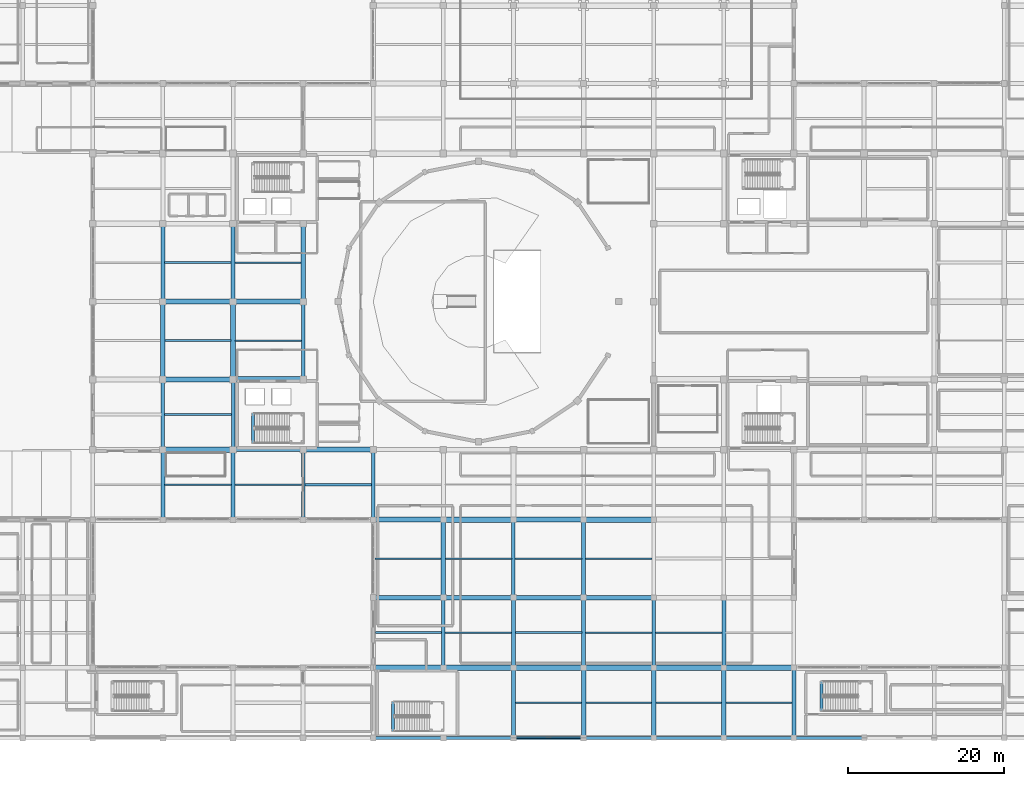
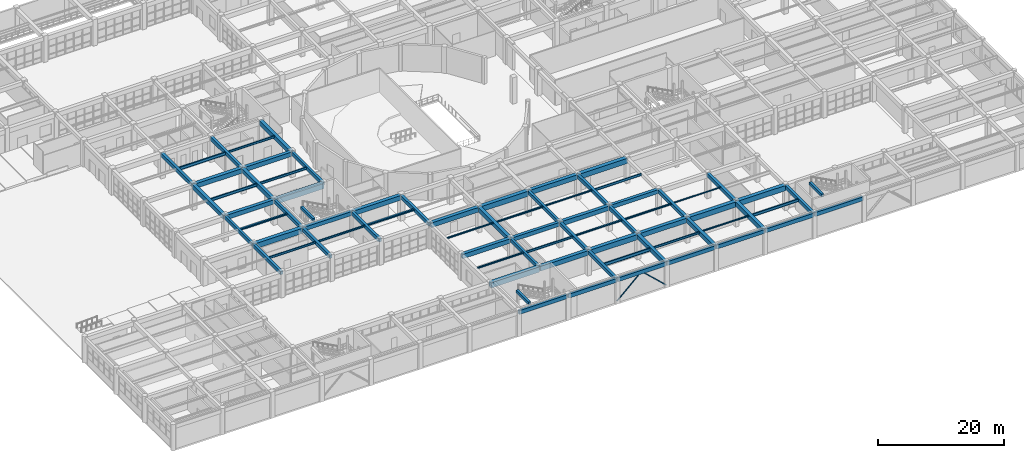
# One storey, part 41 of 128: 77 beams, 2 members.
"""IFC4 building model written with IfcOpenShell, lengths in metres."""

from ifc_helpers import new_model, si_unit, direction, frame, origin, origin_2d, place, context, subcontext, project, spatial, rectangle, hollow_rectangle, i_section, extrude, material, material_profile, profile_set, type_object, element, save


model = new_model("IFC4")

# Units and contexts
model_context = context("Model", 3, precision=1e-05, world=origin(), true_north=direction((0.0, 1.0)))
body_context = subcontext(model_context, "Body", "Model", "MODEL_VIEW")
ifc_project = project(units=[si_unit("LENGTHUNIT", "METRE"), si_unit("AREAUNIT", "SQUARE_METRE"), si_unit("VOLUMEUNIT", "CUBIC_METRE"), si_unit("PLANEANGLEUNIT", "RADIAN"), si_unit("MASSUNIT", "GRAM", prefix="KILO")], contexts=[model_context])

# Site, building, storey
site_placement = place(None, origin())
site = spatial("IfcSite", under=ifc_project, at=site_placement, CompositionType="ELEMENT")
building_placement = place(site_placement, origin())
building = spatial("IfcBuilding", under=site, at=building_placement, Name="Miravela Opera House", CompositionType="ELEMENT")
storey_placement = place(building_placement, origin())
storey = spatial("IfcBuildingStorey", under=building, at=storey_placement, Name="L00", CompositionType="ELEMENT", Elevation=0.0)

# Beams
ifc_material_1 = material(Name="Concrete C35/45", Category="concrete")
ifc_material_profile_1 = material_profile(ifc_material_1, rectangle(XDim=0.39990234375, YDim=0.60009765625, at=origin_2d()), Name="RC-BM-400X600")
ifc_profile_set_1 = profile_set([ifc_material_profile_1])
beam_type_1 = type_object("IfcBeamType", Name="STR-BM-RC400X600", PredefinedType="JOIST", material=ifc_profile_set_1)
for number, where, z_axis, x_axis, name in (
    (1, (47.5400390625, 37.800048828125, 4.800048828125), (0.0, 1.0, 0.0), (-1.0, 0.0, 0.0), "Stair K2 Opening Header Trimmer Beam 01"),
    (2, (65.5400390625, 0.800048828125, 4.800048828125), (0.0, 1.0, 0.0), (-1.0, 0.0, 0.0), "Stair K6 Opening Header Trimmer Beam 01"),
):
    element("IfcBeam", number, at=place(storey_placement, frame(where, z_axis=z_axis, x_axis=x_axis)), inside=storey, type_object=beam_type_1, Name=name, PredefinedType="JOIST", context=body_context, shape_type="SweptSolid", body=[
        extrude(rectangle(XDim=0.39990234375, YDim=0.60009765625, at=origin_2d()), origin(), (0.0, 0.0, 1.0), 3.8798828125),
    ])
beam_1_placement = place(storey_placement, frame((120.5400390625, 3.39990234375, 4.800048828125), z_axis=(0.0, 1.0, 0.0), x_axis=(-1.0, 0.0, 0.0)))
element("IfcBeam", 3, at=beam_1_placement, inside=storey, type_object=beam_type_1, Name="Stair ST-10 Opening Header Trimmer Beam 01", PredefinedType="JOIST", context=body_context, shape_type="SweptSolid", body=[
    extrude(rectangle(XDim=0.39990234375, YDim=0.60009765625, at=origin_2d()), origin(), (0.0, 0.0, 1.0), 3.880126953125),
])
ifc_material_profile_2 = material_profile(ifc_material_1, rectangle(XDim=0.449951171875, YDim=0.64990234375, at=origin_2d()), Name="RC-BM-450X650")
ifc_profile_set_2 = profile_set([ifc_material_profile_2])
beam_type_2 = type_object("IfcBeamType", Name="STR-BM-RC450X650", PredefinedType="BEAM", material=ifc_profile_set_2)
for number, where, z_axis, x_axis, name in (
    (4, (36.0, 37.080078125, 4.52490234375), (0.0, 1.0, 0.0), (-1.0, 0.0, 0.0), "Floor Girder L00 5/E-F"),
    (5, (45.0, 37.080078125, 4.52490234375), (0.0, 1.0, 0.0), (-1.0, 0.0, 0.0), "Floor Girder L00 6/E-F"),
):
    element("IfcBeam", number, at=place(storey_placement, frame(where, z_axis=z_axis, x_axis=x_axis)), inside=storey, type_object=beam_type_2, Name=name, PredefinedType="BEAM", context=body_context, shape_type="SweptSolid", body=[
        extrude(rectangle(XDim=0.449951171875, YDim=0.64990234375, at=origin_2d()), origin(), (0.0, 0.0, 1.0), 8.83984375),
    ])
beam_2_placement = place(storey_placement, frame((54.0, 46.080078125, 4.52490234375), z_axis=(0.0, 1.0, 0.0), x_axis=(-1.0, 0.0, 0.0)))
element("IfcBeam", 6, at=beam_2_placement, inside=storey, type_object=beam_type_2, Name="Floor Girder L00 7/F-G", PredefinedType="BEAM", context=body_context, shape_type="SweptSolid", body=[
    extrude(rectangle(XDim=0.449951171875, YDim=0.64990234375, at=origin_2d()), origin(), (0.0, 0.0, 1.0), 9.83984375),
])
beam_3_placement = place(storey_placement, frame((72.0, 9.080078125, 4.52490234375), z_axis=(0.0, 1.0, 0.0), x_axis=(-1.0, 0.0, 0.0)))
element("IfcBeam", 7, at=beam_3_placement, inside=storey, type_object=beam_type_2, Name="Floor Girder L00 9/B-C", PredefinedType="BEAM", context=body_context, shape_type="SweptSolid", body=[
    extrude(rectangle(XDim=0.449951171875, YDim=0.64990234375, at=origin_2d()), origin(), (0.0, 0.0, 1.0), 8.83984375),
])
beam_4_placement = place(storey_placement, frame((81.0, 18.080078125, 4.52490234375), z_axis=(0.0, 1.0, 0.0), x_axis=(-1.0, 0.0, 0.0)))
element("IfcBeam", 8, at=beam_4_placement, inside=storey, type_object=beam_type_2, Name="Floor Girder L00 10/C-D", PredefinedType="BEAM", context=body_context, shape_type="SweptSolid", body=[
    extrude(rectangle(XDim=0.449951171875, YDim=0.64990234375, at=origin_2d()), origin(), (0.0, 0.0, 1.0), 9.83984375),
])
ifc_material_profile_3 = material_profile(ifc_material_1, rectangle(XDim=0.47998046875, YDim=0.679931640625, at=origin_2d()), Name="RC-BM-480X680")
ifc_profile_set_3 = profile_set([ifc_material_profile_3])
beam_type_3 = type_object("IfcBeamType", Name="STR-BM-RC480X680", PredefinedType="BEAM", material=ifc_profile_set_3)
for number, where, z_axis, x_axis, name in (
    (9, (36.0, 28.080078125, 4.510009765625), (0.0, 1.0, 0.0), (-1.0, 0.0, 0.0), "Floor Girder L00 5/D-E"),
    (10, (45.0, 28.080078125, 4.510009765625), (0.0, 1.0, 0.0), (-1.0, 0.0, 0.0), "Floor Girder L00 6/D-E"),
    (11, (54.0, 28.080078125, 4.510009765625), (0.0, 1.0, 0.0), (-1.0, 0.0, 0.0), "Floor Girder L00 7/D-E"),
    (12, (63.0, 28.080078125, 4.510009765625), (0.0, 1.0, 0.0), (-1.0, 0.0, 0.0), "Floor Girder L00 8/D-E"),
    (13, (81.0, 9.080078125, 4.510009765625), (0.0, 1.0, 0.0), (-1.0, 0.0, 0.0), "Floor Girder L00 10/B-C"),
):
    element("IfcBeam", number, at=place(storey_placement, frame(where, z_axis=z_axis, x_axis=x_axis)), inside=storey, type_object=beam_type_3, Name=name, PredefinedType="BEAM", context=body_context, shape_type="SweptSolid", body=[
        extrude(rectangle(XDim=0.47998046875, YDim=0.679931640625, at=origin_2d()), origin(), (0.0, 0.0, 1.0), 8.83984375),
    ])
beam_5_placement = place(storey_placement, frame((90.0, 18.080078125, 4.510009765625), z_axis=(0.0, 1.0, 0.0), x_axis=(-1.0, 0.0, 0.0)))
element("IfcBeam", 14, at=beam_5_placement, inside=storey, type_object=beam_type_3, Name="Floor Girder L00 11/C-D", PredefinedType="BEAM", context=body_context, shape_type="SweptSolid", body=[
    extrude(rectangle(XDim=0.47998046875, YDim=0.679931640625, at=origin_2d()), origin(), (0.0, 0.0, 1.0), 9.83984375),
])
beam_6_placement = place(storey_placement, frame((117.0, 0.080078125, 4.510009765625), z_axis=(0.0, 1.0, 0.0), x_axis=(-1.0, 0.0, 0.0)))
element("IfcBeam", 15, at=beam_6_placement, inside=storey, type_object=beam_type_3, Name="Floor Girder L00 14/A-B", PredefinedType="BEAM", context=body_context, shape_type="SweptSolid", body=[
    extrude(rectangle(XDim=0.47998046875, YDim=0.679931640625, at=origin_2d()), origin(), (0.0, 0.0, 1.0), 8.83984375),
])
ifc_material_profile_4 = material_profile(ifc_material_1, rectangle(XDim=0.5, YDim=0.699951171875, at=origin_2d()), Name="RC-BM-500X700")
ifc_profile_set_4 = profile_set([ifc_material_profile_4])
beam_type_4 = type_object("IfcBeamType", Name="STR-BM-RC500X700", PredefinedType="BEAM", material=ifc_profile_set_4)
for number, where, z_axis, x_axis, name in (
    (16, (36.0, 56.080078125, 4.5), (0.0, 1.0, 0.0), (-1.0, 0.0, 0.0), "Floor Girder L00 5/G-H"),
    (17, (45.0, 56.080078125, 4.5), (0.0, 1.0, 0.0), (-1.0, 0.0, 0.0), "Floor Girder L00 6/G-H"),
):
    element("IfcBeam", number, at=place(storey_placement, frame(where, z_axis=z_axis, x_axis=x_axis)), inside=storey, type_object=beam_type_4, Name=name, PredefinedType="BEAM", context=body_context, shape_type="SweptSolid", body=[
        extrude(rectangle(XDim=0.5, YDim=0.699951171875, at=origin_2d()), origin(), (0.0, 0.0, 1.0), 9.83984375),
    ])
for number, where, z_axis, x_axis, name in (
    (18, (81.0, 0.080078125, 4.5), (0.0, 1.0, 0.0), (-1.0, 0.0, 0.0), "Floor Girder L00 10/A-B"),
    (19, (90.0, 9.080078125, 4.5), (0.0, 1.0, 0.0), (-1.0, 0.0, 0.0), "Floor Girder L00 11/B-C"),
    (20, (99.0, 9.080078125, 4.5), (0.0, 1.0, 0.0), (-1.0, 0.0, 0.0), "Floor Girder L00 12/B-C"),
    (21, (108.0, 9.080078125, 4.5), (0.0, 1.0, 0.0), (-1.0, 0.0, 0.0), "Floor Girder L00 13/B-C"),
):
    element("IfcBeam", number, at=place(storey_placement, frame(where, z_axis=z_axis, x_axis=x_axis)), inside=storey, type_object=beam_type_4, Name=name, PredefinedType="BEAM", context=body_context, shape_type="SweptSolid", body=[
        extrude(rectangle(XDim=0.5, YDim=0.699951171875, at=origin_2d()), origin(), (0.0, 0.0, 1.0), 8.83984375),
    ])
ifc_material_profile_5 = material_profile(ifc_material_1, rectangle(XDim=0.550048828125, YDim=0.75, at=origin_2d()), Name="RC-BM-550X750")
ifc_profile_set_5 = profile_set([ifc_material_profile_5])
beam_type_5 = type_object("IfcBeamType", Name="STR-BM-RC550X750", PredefinedType="BEAM", material=ifc_profile_set_5)
for number, where, z_axis, x_axis, name in (
    (22, (45.080078125, 37.0, 4.47509765625), (1.0, 0.0, 0.0), (0.0, 1.0, 0.0), "Floor Girder L00 6-7/E"),
    (23, (72.080078125, 18.0, 4.47509765625), (1.0, 0.0, 0.0), (0.0, 1.0, 0.0), "Floor Girder L00 9-10/C"),
    (24, (90.080078125, 18.0, 4.47509765625), (1.0, 0.0, 0.0), (0.0, 1.0, 0.0), "Floor Girder L00 11-12/C"),
):
    element("IfcBeam", number, at=place(storey_placement, frame(where, z_axis=z_axis, x_axis=x_axis)), inside=storey, type_object=beam_type_5, Name=name, PredefinedType="BEAM", context=body_context, shape_type="SweptSolid", body=[
        extrude(rectangle(XDim=0.550048828125, YDim=0.75, at=origin_2d()), origin(), (0.0, 0.0, 1.0), 8.83984375),
    ])
ifc_material_2 = material(Name="Concrete C40/50", Category="concrete")
ifc_material_profile_6 = material_profile(ifc_material_2, rectangle(XDim=0.60009765625, YDim=0.85009765625, at=origin_2d()), Name="RC-BM-600X850")
ifc_profile_set_6 = profile_set([ifc_material_profile_6])
beam_type_6 = type_object("IfcBeamType", Name="STR-BM-RC600X850", PredefinedType="BEAM", material=ifc_profile_set_6)
for number, where, z_axis, x_axis, name in (
    (25, (36.080078125, 46.0, 4.425048828125), (1.0, 0.0, 0.0), (0.0, 1.0, 0.0), "Floor Girder L00 5-6/F"),
    (26, (45.080078125, 56.0, 4.425048828125), (1.0, 0.0, 0.0), (0.0, 1.0, 0.0), "Floor Girder L00 6-7/G"),
    (27, (63.080078125, 18.0, 4.425048828125), (1.0, 0.0, 0.0), (0.0, 1.0, 0.0), "Floor Girder L00 8-9/C"),
    (28, (81.080078125, 18.0, 4.425048828125), (1.0, 0.0, 0.0), (0.0, 1.0, 0.0), "Floor Girder L00 10-11/C"),
):
    element("IfcBeam", number, at=place(storey_placement, frame(where, z_axis=z_axis, x_axis=x_axis)), inside=storey, type_object=beam_type_6, Name=name, PredefinedType="BEAM", context=body_context, shape_type="SweptSolid", body=[
        extrude(rectangle(XDim=0.60009765625, YDim=0.85009765625, at=origin_2d()), origin(), (0.0, 0.0, 1.0), 8.83984375),
    ])
for number, where, z_axis, x_axis, name in (
    (29, (36.0, 46.080078125, 4.425048828125), (0.0, 1.0, 0.0), (-1.0, 0.0, 0.0), "Floor Girder L00 5/F-G"),
    (30, (45.0, 46.080078125, 4.425048828125), (0.0, 1.0, 0.0), (-1.0, 0.0, 0.0), "Floor Girder L00 6/F-G"),
    (31, (54.0, 56.080078125, 4.425048828125), (0.0, 1.0, 0.0), (-1.0, 0.0, 0.0), "Floor Girder L00 7/G-H"),
    (32, (72.0, 18.080078125, 4.425048828125), (0.0, 1.0, 0.0), (-1.0, 0.0, 0.0), "Floor Girder L00 9/C-D"),
):
    element("IfcBeam", number, at=place(storey_placement, frame(where, z_axis=z_axis, x_axis=x_axis)), inside=storey, type_object=beam_type_6, Name=name, PredefinedType="BEAM", context=body_context, shape_type="SweptSolid", body=[
        extrude(rectangle(XDim=0.60009765625, YDim=0.85009765625, at=origin_2d()), origin(), (0.0, 0.0, 1.0), 9.83984375),
    ])
for number, where, z_axis, x_axis, name in (
    (33, (90.0, 0.080078125, 4.425048828125), (0.0, 1.0, 0.0), (-1.0, 0.0, 0.0), "Floor Girder L00 11/A-B"),
    (34, (99.0, 0.080078125, 4.425048828125), (0.0, 1.0, 0.0), (-1.0, 0.0, 0.0), "Floor Girder L00 12/A-B"),
    (35, (108.0, 0.080078125, 4.425048828125), (0.0, 1.0, 0.0), (-1.0, 0.0, 0.0), "Floor Girder L00 13/A-B"),
):
    element("IfcBeam", number, at=place(storey_placement, frame(where, z_axis=z_axis, x_axis=x_axis)), inside=storey, type_object=beam_type_6, Name=name, PredefinedType="BEAM", context=body_context, shape_type="SweptSolid", body=[
        extrude(rectangle(XDim=0.60009765625, YDim=0.85009765625, at=origin_2d()), origin(), (0.0, 0.0, 1.0), 8.83984375),
    ])
ifc_material_profile_7 = material_profile(ifc_material_2, rectangle(XDim=0.64990234375, YDim=0.89990234375, at=origin_2d()), Name="RC-BM-650X900")
ifc_profile_set_7 = profile_set([ifc_material_profile_7])
beam_type_7 = type_object("IfcBeamType", Name="STR-BM-RC650X900", PredefinedType="BEAM", material=ifc_profile_set_7)
for number, where, z_axis, x_axis, name in (
    (36, (36.080078125, 56.0, 4.39990234375), (1.0, 0.0, 0.0), (0.0, 1.0, 0.0), "Floor Girder L00 5-6/G"),
    (37, (54.080078125, 37.0, 4.39990234375), (1.0, 0.0, 0.0), (0.0, 1.0, 0.0), "Floor Girder L00 7-8/E"),
    (38, (63.080078125, 28.0, 4.39990234375), (1.0, 0.0, 0.0), (0.0, 1.0, 0.0), "Floor Girder L00 8-9/D"),
    (39, (72.080078125, 9.0, 4.39990234375), (1.0, 0.0, 0.0), (0.0, 1.0, 0.0), "Floor Girder L00 9-10/B"),
    (40, (81.080078125, 28.0, 4.39990234375), (1.0, 0.0, 0.0), (0.0, 1.0, 0.0), "Floor Girder L00 10-11/D"),
    (41, (90.080078125, 9.0, 4.39990234375), (1.0, 0.0, 0.0), (0.0, 1.0, 0.0), "Floor Girder L00 11-12/B"),
):
    element("IfcBeam", number, at=place(storey_placement, frame(where, z_axis=z_axis, x_axis=x_axis)), inside=storey, type_object=beam_type_7, Name=name, PredefinedType="BEAM", context=body_context, shape_type="SweptSolid", body=[
        extrude(rectangle(XDim=0.64990234375, YDim=0.89990234375, at=origin_2d()), origin(), (0.0, 0.0, 1.0), 8.83984375),
    ])
ifc_material_profile_8 = material_profile(ifc_material_2, rectangle(XDim=0.699951171875, YDim=1.0, at=origin_2d()), Name="RC-BM-700X1000")
ifc_profile_set_8 = profile_set([ifc_material_profile_8])
beam_type_8 = type_object("IfcBeamType", Name="STR-BM-RC700X1000", PredefinedType="BEAM", material=ifc_profile_set_8)
for number, where, z_axis, x_axis, name in (
    (42, (36.080078125, 37.0, 4.35009765625), (1.0, 0.0, 0.0), (0.0, 1.0, 0.0), "Floor Girder L00 5-6/E"),
    (43, (45.080078125, 46.0, 4.35009765625), (1.0, 0.0, 0.0), (0.0, 1.0, 0.0), "Floor Girder L00 6-7/F"),
    (44, (63.080078125, 9.0, 4.35009765625), (1.0, 0.0, 0.0), (0.0, 1.0, 0.0), "Floor Girder L00 8-9/B"),
    (45, (72.080078125, 28.0, 4.35009765625), (1.0, 0.0, 0.0), (0.0, 1.0, 0.0), "Floor Girder L00 9-10/D"),
    (46, (81.080078125, 9.0, 4.35009765625), (1.0, 0.0, 0.0), (0.0, 1.0, 0.0), "Floor Girder L00 10-11/B"),
    (47, (90.080078125, 28.0, 4.35009765625), (1.0, 0.0, 0.0), (0.0, 1.0, 0.0), "Floor Girder L00 11-12/D"),
    (48, (99.080078125, 9.0, 4.35009765625), (1.0, 0.0, 0.0), (0.0, 1.0, 0.0), "Floor Girder L00 12-13/B"),
    (49, (108.080078125, 9.0, 4.35009765625), (1.0, 0.0, 0.0), (0.0, 1.0, 0.0), "Floor Girder L00 13-14/B"),
):
    element("IfcBeam", number, at=place(storey_placement, frame(where, z_axis=z_axis, x_axis=x_axis)), inside=storey, type_object=beam_type_8, Name=name, PredefinedType="BEAM", context=body_context, shape_type="SweptSolid", body=[
        extrude(rectangle(XDim=0.699951171875, YDim=1.0, at=origin_2d()), origin(), (0.0, 0.0, 1.0), 8.83984375),
    ])
ifc_material_3 = material(Name="Structural steel ASTM A992 Gr. 50", Category="steel")
ifc_material_profile_9 = material_profile(ifc_material_3, i_section(OverallWidth=0.1650390625, OverallDepth=0.200927734375, WebThickness=0.006103515625, FlangeThickness=0.01025390625, FilletRadius=0.010009765625, at=origin_2d()), Name="W200X36")
ifc_profile_set_9 = profile_set([ifc_material_profile_9])
beam_type_9 = type_object("IfcBeamType", Name="STR-BM-W200X36", PredefinedType="LINTEL", material=ifc_profile_set_9)
beam_7_placement = place(storey_placement, frame((99.235107421875, 13.5, 4.74951171875), z_axis=(1.0, 0.0, 0.0), x_axis=(0.0, 1.0, 0.0)))
element("IfcBeam", 50, at=beam_7_placement, inside=storey, type_object=beam_type_9, Name="Secondary Floor Joist L00 12-13/B-C", PredefinedType="LINTEL", context=body_context, shape_type="SweptSolid", body=[
    extrude(i_section(OverallWidth=0.1650390625, OverallDepth=0.200927734375, WebThickness=0.006103515625, FlangeThickness=0.01025390625, FilletRadius=0.010009765625, at=origin_2d()), origin(), (0.0, 0.0, 1.0), 8.52978515625),
])
ifc_material_profile_10 = material_profile(ifc_material_3, i_section(OverallWidth=0.201904296875, OverallDepth=0.2470703125, WebThickness=0.00732421875, FlangeThickness=0.010986328125, FilletRadius=0.011962890625, at=origin_2d()), Name="W250X49")
ifc_profile_set_10 = profile_set([ifc_material_profile_10])
beam_type_10 = type_object("IfcBeamType", Name="STR-BM-W250X49", PredefinedType="LINTEL", material=ifc_profile_set_10)
beam_8_placement = place(storey_placement, frame((63.235107421875, 23.0, 4.7265625), z_axis=(1.0, 0.0, 0.0), x_axis=(0.0, 1.0, 0.0)))
element("IfcBeam", 51, at=beam_8_placement, inside=storey, type_object=beam_type_10, Name="Secondary Floor Joist L00 8-9/C-D", PredefinedType="LINTEL", context=body_context, shape_type="SweptSolid", body=[
    extrude(i_section(OverallWidth=0.201904296875, OverallDepth=0.2470703125, WebThickness=0.00732421875, FlangeThickness=0.010986328125, FilletRadius=0.011962890625, at=origin_2d()), origin(), (0.0, 0.0, 1.0), 8.47998046875),
])
beam_9_placement = place(storey_placement, frame((81.2099609375, 23.0, 4.7265625), z_axis=(1.0, 0.0, 0.0), x_axis=(0.0, 1.0, 0.0)))
element("IfcBeam", 52, at=beam_9_placement, inside=storey, type_object=beam_type_10, Name="Secondary Floor Joist L00 10-11/C-D", PredefinedType="LINTEL", context=body_context, shape_type="SweptSolid", body=[
    extrude(i_section(OverallWidth=0.201904296875, OverallDepth=0.2470703125, WebThickness=0.00732421875, FlangeThickness=0.010986328125, FilletRadius=0.011962890625, at=origin_2d()), origin(), (0.0, 0.0, 1.0), 8.56494140625),
])
beam_10_placement = place(storey_placement, frame((99.284912109375, 4.5, 4.7265625), z_axis=(1.0, 0.0, 0.0), x_axis=(0.0, 1.0, 0.0)))
element("IfcBeam", 53, at=beam_10_placement, inside=storey, type_object=beam_type_10, Name="Secondary Floor Joist L00 12-13/A-B", PredefinedType="LINTEL", context=body_context, shape_type="SweptSolid", body=[
    extrude(i_section(OverallWidth=0.201904296875, OverallDepth=0.2470703125, WebThickness=0.00732421875, FlangeThickness=0.010986328125, FilletRadius=0.011962890625, at=origin_2d()), origin(), (0.0, 0.0, 1.0), 8.43017578125),
])
ifc_material_profile_11 = material_profile(ifc_material_3, i_section(OverallWidth=0.25390625, OverallDepth=0.2529296875, WebThickness=0.008544921875, FlangeThickness=0.01416015625, FilletRadius=0.011962890625, at=origin_2d()), Name="W250X73")
ifc_profile_set_11 = profile_set([ifc_material_profile_11])
beam_type_11 = type_object("IfcBeamType", Name="STR-BM-W250X73", PredefinedType="JOIST", material=ifc_profile_set_11)
beam_11_placement = place(storey_placement, frame((63.284912109375, 13.5, 4.723388671875), z_axis=(1.0, 0.0, 0.0), x_axis=(0.0, 1.0, 0.0)))
element("IfcBeam", 54, at=beam_11_placement, inside=storey, type_object=beam_type_11, Name="Secondary Floor Joist L00 8-9/B-C", PredefinedType="JOIST", context=body_context, shape_type="SweptSolid", body=[
    extrude(i_section(OverallWidth=0.25390625, OverallDepth=0.2529296875, WebThickness=0.008544921875, FlangeThickness=0.01416015625, FilletRadius=0.011962890625, at=origin_2d()), origin(), (0.0, 0.0, 1.0), 8.505126953125),
])
beam_12_placement = place(storey_placement, frame((81.22509765625, 13.5, 4.723388671875), z_axis=(1.0, 0.0, 0.0), x_axis=(0.0, 1.0, 0.0)))
element("IfcBeam", 55, at=beam_12_placement, inside=storey, type_object=beam_type_11, Name="Secondary Floor Joist L00 10-11/B-C", PredefinedType="JOIST", context=body_context, shape_type="SweptSolid", body=[
    extrude(i_section(OverallWidth=0.25390625, OverallDepth=0.2529296875, WebThickness=0.008544921875, FlangeThickness=0.01416015625, FilletRadius=0.011962890625, at=origin_2d()), origin(), (0.0, 0.0, 1.0), 8.539794921875),
])
ifc_material_profile_12 = material_profile(ifc_material_3, i_section(OverallWidth=0.202880859375, OverallDepth=0.302978515625, WebThickness=0.007568359375, FlangeThickness=0.01318359375, FilletRadius=0.012939453125, at=origin_2d()), Name="W310X60")
ifc_profile_set_12 = profile_set([ifc_material_profile_12])
beam_type_12 = type_object("IfcBeamType", Name="STR-BM-W310X60", PredefinedType="JOIST", material=ifc_profile_set_12)
beam_13_placement = place(storey_placement, frame((72.284912109375, 23.0, 4.698486328125), z_axis=(1.0, 0.0, 0.0), x_axis=(0.0, 1.0, 0.0)))
element("IfcBeam", 56, at=beam_13_placement, inside=storey, type_object=beam_type_12, Name="Secondary Floor Joist L00 9-10/C-D", PredefinedType="JOIST", context=body_context, shape_type="SweptSolid", body=[
    extrude(i_section(OverallWidth=0.202880859375, OverallDepth=0.302978515625, WebThickness=0.007568359375, FlangeThickness=0.01318359375, FilletRadius=0.012939453125, at=origin_2d()), origin(), (0.0, 0.0, 1.0), 8.505126953125),
])
beam_14_placement = place(storey_placement, frame((90.235107421875, 13.5, 4.698486328125), z_axis=(1.0, 0.0, 0.0), x_axis=(0.0, 1.0, 0.0)))
element("IfcBeam", 57, at=beam_14_placement, inside=storey, type_object=beam_type_12, Name="Secondary Floor Joist L00 11-12/B-C", PredefinedType="JOIST", context=body_context, shape_type="SweptSolid", body=[
    extrude(i_section(OverallWidth=0.202880859375, OverallDepth=0.302978515625, WebThickness=0.007568359375, FlangeThickness=0.01318359375, FilletRadius=0.012939453125, at=origin_2d()), origin(), (0.0, 0.0, 1.0), 8.52978515625),
])
ifc_material_profile_13 = material_profile(ifc_material_3, i_section(OverallWidth=0.304931640625, OverallDepth=0.30810546875, WebThickness=0.010009765625, FlangeThickness=0.015380859375, FilletRadius=0.013916015625, at=origin_2d()), Name="W310X97")
ifc_profile_set_13 = profile_set([ifc_material_profile_13])
beam_type_13 = type_object("IfcBeamType", Name="STR-BM-W310X97", PredefinedType="JOIST", material=ifc_profile_set_13)
beam_15_placement = place(storey_placement, frame((36.2099609375, 41.5, 4.696044921875), z_axis=(1.0, 0.0, 0.0), x_axis=(0.0, 1.0, 0.0)))
element("IfcBeam", 58, at=beam_15_placement, inside=storey, type_object=beam_type_13, Name="Secondary Floor Joist L00 5-6/E-F", PredefinedType="JOIST", context=body_context, shape_type="SweptSolid", body=[
    extrude(i_section(OverallWidth=0.304931640625, OverallDepth=0.30810546875, WebThickness=0.010009765625, FlangeThickness=0.015380859375, FilletRadius=0.013916015625, at=origin_2d()), origin(), (0.0, 0.0, 1.0), 8.580078125),
])
beam_16_placement = place(storey_placement, frame((54.22509765625, 32.5, 4.696044921875), z_axis=(1.0, 0.0, 0.0), x_axis=(0.0, 1.0, 0.0)))
element("IfcBeam", 59, at=beam_16_placement, inside=storey, type_object=beam_type_13, Name="Secondary Floor Joist L00 7-8/D-E", PredefinedType="JOIST", context=body_context, shape_type="SweptSolid", body=[
    extrude(i_section(OverallWidth=0.304931640625, OverallDepth=0.30810546875, WebThickness=0.010009765625, FlangeThickness=0.015380859375, FilletRadius=0.013916015625, at=origin_2d()), origin(), (0.0, 0.0, 1.0), 8.5498046875),
])
ifc_material_profile_14 = material_profile(ifc_material_3, i_section(OverallWidth=0.2041015625, OverallDepth=0.35009765625, WebThickness=0.008544921875, FlangeThickness=0.01513671875, FilletRadius=0.013916015625, at=origin_2d()), Name="W360X72")
ifc_profile_set_14 = profile_set([ifc_material_profile_14])
beam_type_14 = type_object("IfcBeamType", Name="STR-BM-W360X72", PredefinedType="JOIST", material=ifc_profile_set_14)
beam_17_placement = place(storey_placement, frame((45.22509765625, 32.5, 4.675048828125), z_axis=(1.0, 0.0, 0.0), x_axis=(0.0, 1.0, 0.0)))
element("IfcBeam", 60, at=beam_17_placement, inside=storey, type_object=beam_type_14, Name="Secondary Floor Joist L00 6-7/D-E", PredefinedType="JOIST", context=body_context, shape_type="SweptSolid", body=[
    extrude(i_section(OverallWidth=0.2041015625, OverallDepth=0.35009765625, WebThickness=0.008544921875, FlangeThickness=0.01513671875, FilletRadius=0.013916015625, at=origin_2d()), origin(), (0.0, 0.0, 1.0), 8.5498046875),
])
ifc_material_profile_15 = material_profile(ifc_material_3, i_section(OverallWidth=0.177978515625, OverallDepth=0.406982421875, WebThickness=0.0078125, FlangeThickness=0.0126953125, FilletRadius=0.012939453125, at=origin_2d()), Name="W410X60")
ifc_profile_set_15 = profile_set([ifc_material_profile_15])
beam_type_15 = type_object("IfcBeamType", Name="STR-BM-W410X60", PredefinedType="JOIST", material=ifc_profile_set_15)
beam_18_placement = place(storey_placement, frame((36.22509765625, 32.5, 4.646484375), z_axis=(1.0, 0.0, 0.0), x_axis=(0.0, 1.0, 0.0)))
element("IfcBeam", 61, at=beam_18_placement, inside=storey, type_object=beam_type_15, Name="Secondary Floor Joist L00 5-6/D-E", PredefinedType="JOIST", context=body_context, shape_type="SweptSolid", body=[
    extrude(i_section(OverallWidth=0.177978515625, OverallDepth=0.406982421875, WebThickness=0.0078125, FlangeThickness=0.0126953125, FilletRadius=0.012939453125, at=origin_2d()), origin(), (0.0, 0.0, 1.0), 8.5498046875),
])
ifc_material_profile_16 = material_profile(ifc_material_3, i_section(OverallWidth=0.180908203125, OverallDepth=0.4169921875, WebThickness=0.010986328125, FlangeThickness=0.018310546875, FilletRadius=0.013916015625, at=origin_2d()), Name="W410X85")
ifc_profile_set_16 = profile_set([ifc_material_profile_16])
beam_type_16 = type_object("IfcBeamType", Name="STR-BM-W410X85", PredefinedType="JOIST", material=ifc_profile_set_16)
beam_19_placement = place(storey_placement, frame((45.235107421875, 61.0, 4.6416015625), z_axis=(1.0, 0.0, 0.0), x_axis=(0.0, 1.0, 0.0)))
element("IfcBeam", 62, at=beam_19_placement, inside=storey, type_object=beam_type_16, Name="Secondary Floor Joist L00 6-7/G-H", PredefinedType="JOIST", context=body_context, shape_type="SweptSolid", body=[
    extrude(i_section(OverallWidth=0.180908203125, OverallDepth=0.4169921875, WebThickness=0.010986328125, FlangeThickness=0.018310546875, FilletRadius=0.013916015625, at=origin_2d()), origin(), (0.0, 0.0, 1.0), 8.47998046875),
])
beam_20_placement = place(storey_placement, frame((72.2099609375, 13.5, 4.6416015625), z_axis=(1.0, 0.0, 0.0), x_axis=(0.0, 1.0, 0.0)))
element("IfcBeam", 63, at=beam_20_placement, inside=storey, type_object=beam_type_16, Name="Secondary Floor Joist L00 9-10/B-C", PredefinedType="JOIST", context=body_context, shape_type="SweptSolid", body=[
    extrude(i_section(OverallWidth=0.180908203125, OverallDepth=0.4169921875, WebThickness=0.010986328125, FlangeThickness=0.018310546875, FilletRadius=0.013916015625, at=origin_2d()), origin(), (0.0, 0.0, 1.0), 8.56494140625),
])
beam_21_placement = place(storey_placement, frame((90.284912109375, 4.5, 4.6416015625), z_axis=(1.0, 0.0, 0.0), x_axis=(0.0, 1.0, 0.0)))
element("IfcBeam", 64, at=beam_21_placement, inside=storey, type_object=beam_type_16, Name="Secondary Floor Joist L00 11-12/A-B", PredefinedType="JOIST", context=body_context, shape_type="SweptSolid", body=[
    extrude(i_section(OverallWidth=0.180908203125, OverallDepth=0.4169921875, WebThickness=0.010986328125, FlangeThickness=0.018310546875, FilletRadius=0.013916015625, at=origin_2d()), origin(), (0.0, 0.0, 1.0), 8.43017578125),
])
ifc_material_profile_17 = material_profile(ifc_material_3, i_section(OverallWidth=0.154052734375, OverallDepth=0.458984375, WebThickness=0.009033203125, FlangeThickness=0.015380859375, FilletRadius=0.013916015625, at=origin_2d()), Name="W460X68")
ifc_profile_set_17 = profile_set([ifc_material_profile_17])
beam_type_17 = type_object("IfcBeamType", Name="STR-BM-W460X68", PredefinedType="JOIST", material=ifc_profile_set_17)
beam_22_placement = place(storey_placement, frame((90.22509765625, 23.0, 4.62060546875), z_axis=(1.0, 0.0, 0.0), x_axis=(0.0, 1.0, 0.0)))
element("IfcBeam", 65, at=beam_22_placement, inside=storey, type_object=beam_type_17, Name="Secondary Floor Joist L00 11-12/C-D", PredefinedType="JOIST", context=body_context, shape_type="SweptSolid", body=[
    extrude(i_section(OverallWidth=0.154052734375, OverallDepth=0.458984375, WebThickness=0.009033203125, FlangeThickness=0.015380859375, FilletRadius=0.013916015625, at=origin_2d()), origin(), (0.0, 0.0, 1.0), 8.5498046875),
])
ifc_material_profile_18 = material_profile(ifc_material_3, i_section(OverallWidth=0.19091796875, OverallDepth=0.4599609375, WebThickness=0.010009765625, FlangeThickness=0.01611328125, FilletRadius=0.014892578125, at=origin_2d()), Name="W460X82")
ifc_profile_set_18 = profile_set([ifc_material_profile_18])
beam_type_18 = type_object("IfcBeamType", Name="STR-BM-W460X82", PredefinedType="JOIST", material=ifc_profile_set_18)
beam_23_placement = place(storey_placement, frame((45.284912109375, 51.0, 4.6201171875), z_axis=(1.0, 0.0, 0.0), x_axis=(0.0, 1.0, 0.0)))
element("IfcBeam", 66, at=beam_23_placement, inside=storey, type_object=beam_type_18, Name="Secondary Floor Joist L00 6-7/F-G", PredefinedType="JOIST", context=body_context, shape_type="SweptSolid", body=[
    extrude(i_section(OverallWidth=0.19091796875, OverallDepth=0.4599609375, WebThickness=0.010009765625, FlangeThickness=0.01611328125, FilletRadius=0.014892578125, at=origin_2d()), origin(), (0.0, 0.0, 1.0), 8.505126953125),
])
ifc_material_profile_19 = material_profile(ifc_material_3, i_section(OverallWidth=0.208984375, OverallDepth=0.532958984375, WebThickness=0.01025390625, FlangeThickness=0.015625, FilletRadius=0.014892578125, at=origin_2d()), Name="W530X92")
ifc_profile_set_19 = profile_set([ifc_material_profile_19])
beam_type_19 = type_object("IfcBeamType", Name="STR-BM-W530X92", PredefinedType="BEAM", material=ifc_profile_set_19)
beam_24_placement = place(storey_placement, frame((36.284912109375, 51.0, 4.58349609375), z_axis=(1.0, 0.0, 0.0), x_axis=(0.0, 1.0, 0.0)))
element("IfcBeam", 67, at=beam_24_placement, inside=storey, type_object=beam_type_19, Name="Secondary Floor Joist L00 5-6/F-G", PredefinedType="BEAM", context=body_context, shape_type="SweptSolid", body=[
    extrude(i_section(OverallWidth=0.208984375, OverallDepth=0.532958984375, WebThickness=0.01025390625, FlangeThickness=0.015625, FilletRadius=0.014892578125, at=origin_2d()), origin(), (0.0, 0.0, 1.0), 8.43017578125),
])
beam_25_placement = place(storey_placement, frame((108.284912109375, 4.5, 4.58349609375), z_axis=(1.0, 0.0, 0.0), x_axis=(0.0, 1.0, 0.0)))
element("IfcBeam", 68, at=beam_25_placement, inside=storey, type_object=beam_type_19, Name="Secondary Floor Joist L00 13-14/A-B", PredefinedType="BEAM", context=body_context, shape_type="SweptSolid", body=[
    extrude(i_section(OverallWidth=0.208984375, OverallDepth=0.532958984375, WebThickness=0.01025390625, FlangeThickness=0.015625, FilletRadius=0.014892578125, at=origin_2d()), origin(), (0.0, 0.0, 1.0), 8.489990234375),
])
ifc_material_profile_20 = material_profile(ifc_material_3, i_section(OverallWidth=0.22802734375, OverallDepth=0.60791015625, WebThickness=0.01123046875, FlangeThickness=0.017333984375, FilletRadius=0.01611328125, at=origin_2d()), Name="W610X113")
ifc_profile_set_20 = profile_set([ifc_material_profile_20])
beam_type_20 = type_object("IfcBeamType", Name="STR-BM-W610X113", PredefinedType="BEAM", material=ifc_profile_set_20)
beam_26_placement = place(storey_placement, frame((36.235107421875, 61.0, 4.5458984375), z_axis=(1.0, 0.0, 0.0), x_axis=(0.0, 1.0, 0.0)))
element("IfcBeam", 69, at=beam_26_placement, inside=storey, type_object=beam_type_20, Name="Secondary Floor Joist L00 5-6/G-H", PredefinedType="BEAM", context=body_context, shape_type="SweptSolid", body=[
    extrude(i_section(OverallWidth=0.22802734375, OverallDepth=0.60791015625, WebThickness=0.01123046875, FlangeThickness=0.017333984375, FilletRadius=0.01611328125, at=origin_2d()), origin(), (0.0, 0.0, 1.0), 8.52978515625),
])
beam_27_placement = place(storey_placement, frame((81.235107421875, 4.5, 4.5458984375), z_axis=(1.0, 0.0, 0.0), x_axis=(0.0, 1.0, 0.0)))
element("IfcBeam", 70, at=beam_27_placement, inside=storey, type_object=beam_type_20, Name="Secondary Floor Joist L00 10-11/A-B", PredefinedType="BEAM", context=body_context, shape_type="SweptSolid", body=[
    extrude(i_section(OverallWidth=0.22802734375, OverallDepth=0.60791015625, WebThickness=0.01123046875, FlangeThickness=0.017333984375, FilletRadius=0.01611328125, at=origin_2d()), origin(), (0.0, 0.0, 1.0), 8.47998046875),
])

# Members
ifc_material_4 = material(Name="Hollow structural steel ASTM A500 Gr. C", Category="steel")
ifc_material_profile_21 = material_profile(ifc_material_4, hollow_rectangle(XDim=0.179931640625, YDim=0.179931640625, WallThickness=0.010009765625, InnerFilletRadius=0.010009765625, OuterFilletRadius=0.02001953125, at=origin_2d()), Name="HSS180X180X10")
ifc_profile_set_21 = profile_set([ifc_material_profile_21])
member_type = type_object("IfcMemberType", Name="STR-MEM-BRACE-HSS180", PredefinedType="BRACE", material=ifc_profile_set_21)
for number, where, z_axis, x_axis, name in (
    (71, (81.0, 0.0, 0.300048828125), (0.73105922506, 0.0, 0.682314010889), (0.0, 1.0, 0.0), "Concentric Braced Frame BF-S2 L00 Left Brace"),
    (72, (90.0, 0.0, 0.300048828125), (-0.73105922506, 0.0, 0.682314010889), (0.0, -1.0, 0.0), "Concentric Braced Frame BF-S2 L00 Right Brace"),
):
    element("IfcMember", number, at=place(storey_placement, frame(where, z_axis=z_axis, x_axis=x_axis)), inside=storey, type_object=member_type, Name=name, PredefinedType="BRACE", context=body_context, shape_type="SweptSolid", body=[
        extrude(hollow_rectangle(XDim=0.179931640625, YDim=0.179931640625, WallThickness=0.010009765625, InnerFilletRadius=0.010009765625, OuterFilletRadius=0.02001953125, at=origin_2d()), origin(), (0.0, 0.0, 1.0), 6.155517578125),
    ])

# Beams
ifc_material_profile_22 = material_profile(ifc_material_1, rectangle(XDim=0.39990234375, YDim=0.75, at=origin_2d()), Name="RC-SPN-400X750")
ifc_profile_set_22 = profile_set([ifc_material_profile_22])
beam_type_21 = type_object("IfcBeamType", Name="STR-SPN-RC400X750", PredefinedType="SPANDREL", material=ifc_profile_set_22)
for number, where, z_axis, x_axis, name in (
    (73, (63.080078125, 0.0, 4.47509765625), (1.0, 0.0, 0.0), (0.0, 1.0, 0.0), "Floor Girder L00 8-9/A"),
    (74, (72.080078125, 0.0, 4.47509765625), (1.0, 0.0, 0.0), (0.0, 1.0, 0.0), "Floor Girder L00 9-10/A"),
    (75, (81.080078125, 0.0, 4.47509765625), (1.0, 0.0, 0.0), (0.0, 1.0, 0.0), "Floor Girder L00 10-11/A"),
    (76, (90.080078125, 0.0, 4.47509765625), (1.0, 0.0, 0.0), (0.0, 1.0, 0.0), "Floor Girder L00 11-12/A"),
    (77, (99.080078125, 0.0, 4.47509765625), (1.0, 0.0, 0.0), (0.0, 1.0, 0.0), "Floor Girder L00 12-13/A"),
    (78, (108.080078125, 0.0, 4.47509765625), (1.0, 0.0, 0.0), (0.0, 1.0, 0.0), "Floor Girder L00 13-14/A"),
    (79, (117.080078125, 0.0, 4.47509765625), (1.0, 0.0, 0.0), (0.0, 1.0, 0.0), "Floor Girder L00 14-15/A"),
):
    element("IfcBeam", number, at=place(storey_placement, frame(where, z_axis=z_axis, x_axis=x_axis)), inside=storey, type_object=beam_type_21, Name=name, PredefinedType="SPANDREL", context=body_context, shape_type="SweptSolid", body=[
        extrude(rectangle(XDim=0.39990234375, YDim=0.75, at=origin_2d()), origin(), (0.0, 0.0, 1.0), 8.83984375),
    ])

save(model, "model.ifc")
